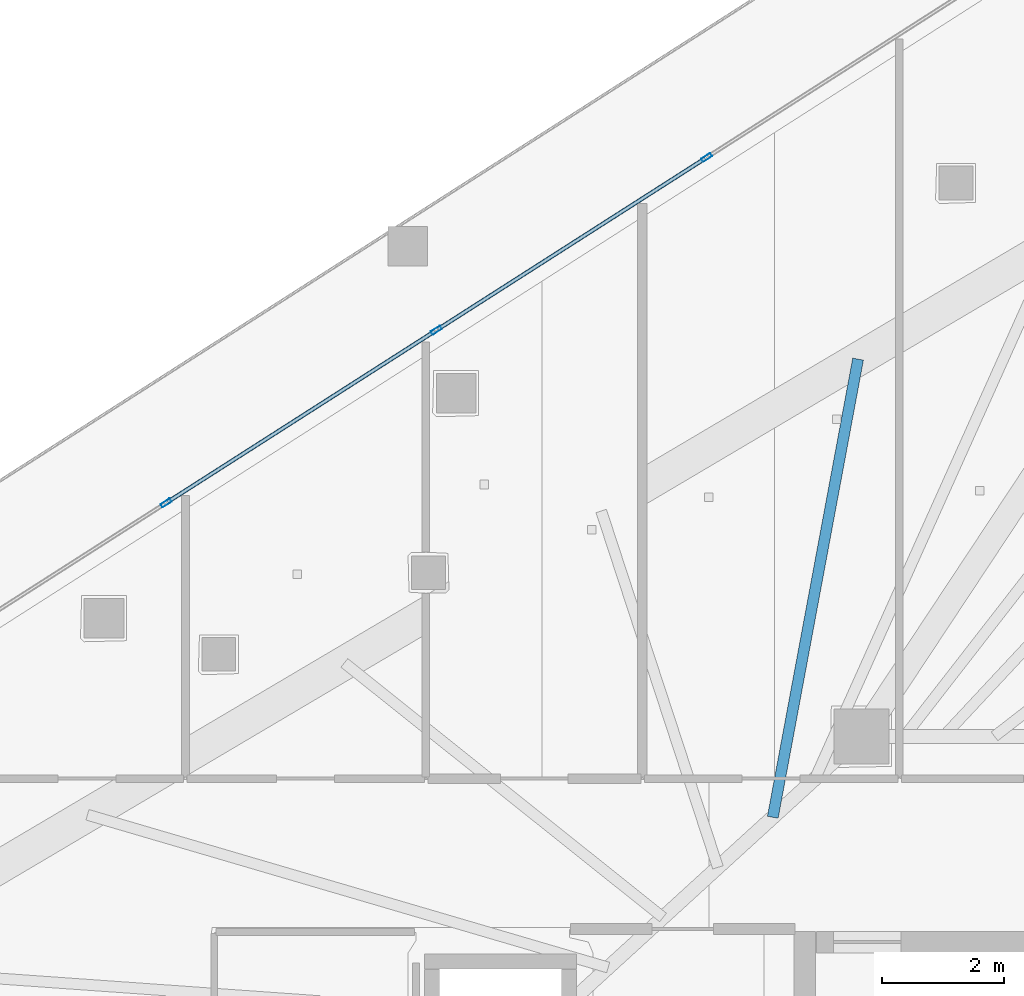
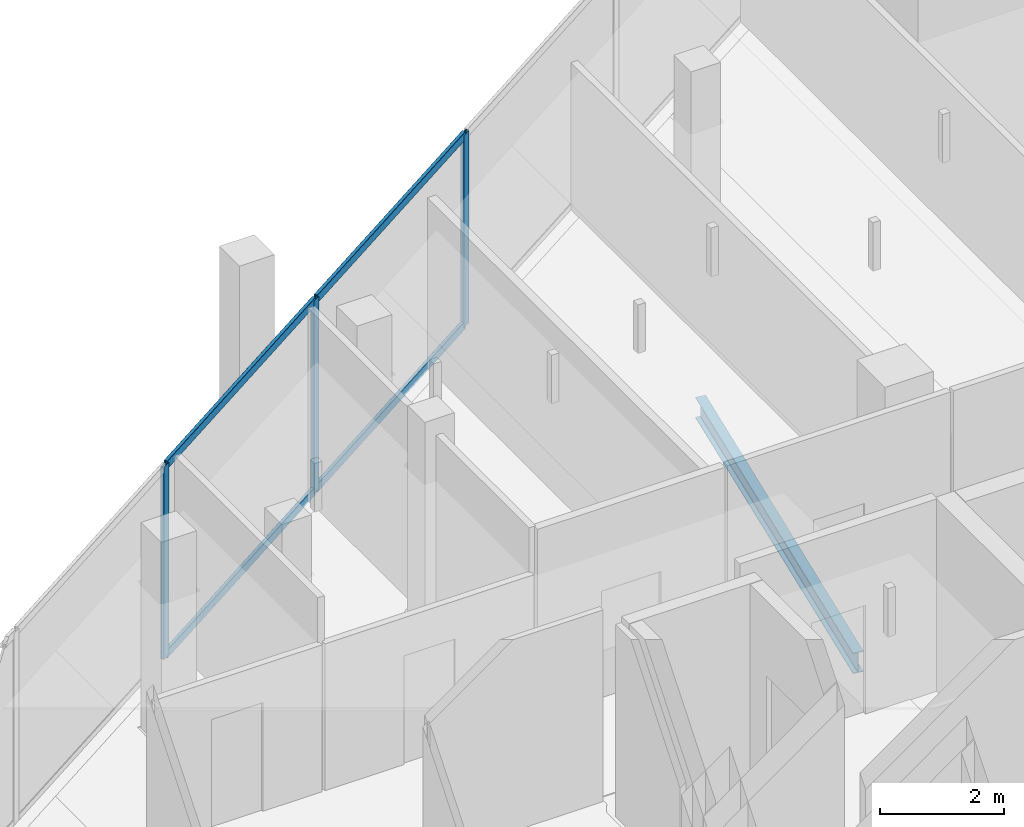
# One storey, part 17 of 33: 7 members, 1 beam, 1 element without a shape of its own.
"""IFC4 building model written with IfcOpenShell, lengths in metres."""

from ifc_helpers import new_model, si_unit, direction, frame, origin, origin_2d, place, context, subcontext, project, spatial, hollow_rectangle, i_section, extrude, material, layer, layer_set, material_profile, profile_set, type_object, element, aggregate, save


model = new_model("IFC4")

# Units and contexts
model_context = context("Model", 3, precision=1e-05, world=origin(), true_north=direction((0.0, 1.0)))
body_context = subcontext(model_context, "Body", "Model", "MODEL_VIEW")
ifc_project = project(units=[si_unit("LENGTHUNIT", "METRE"), si_unit("AREAUNIT", "SQUARE_METRE"), si_unit("VOLUMEUNIT", "CUBIC_METRE"), si_unit("PLANEANGLEUNIT", "RADIAN"), si_unit("MASSUNIT", "GRAM", prefix="KILO")], contexts=[model_context])

# Site, building, storey
site_placement = place(None, origin())
site = spatial("IfcSite", under=ifc_project, at=site_placement, CompositionType="ELEMENT")
building_placement = place(site_placement, origin())
building = spatial("IfcBuilding", under=site, at=building_placement, Name="Qorvath Tower", CompositionType="ELEMENT")
storey_placement = place(building_placement, frame((0.0, 0.0, 209.10009765625)))
storey = spatial("IfcBuildingStorey", under=building, at=storey_placement, Name="L48", CompositionType="ELEMENT", Elevation=209.10009765625)

# Beam
ifc_material_1 = material(Name="Steel ASTM A992 Grade 50", Category="steel")
ifc_material_profile_1 = material_profile(ifc_material_1, i_section(OverallWidth=0.177978515625, OverallDepth=0.406005859375, WebThickness=0.0078125, FlangeThickness=0.0126953125, FilletRadius=0.010986328125, at=origin_2d()), Name="W16x40")
ifc_profile_set_1 = profile_set([ifc_material_profile_1], Name="Steel ASTM A992 Grade 50")
beam_type = type_object("IfcBeamType", Name="BM-FJ3", PredefinedType="JOIST", material=ifc_profile_set_1)
beam_placement = place(storey_placement, frame((-25.049072265625, 10.126953125, -0.472900390625), z_axis=(0.183026775988, 0.983107928598, 0.0), x_axis=(-0.983107928598, 0.183026775988, 0.0)))
element("IfcBeam", 1, at=beam_placement, inside=storey, type_object=beam_type, Name="Composite Floor Joist NW6 L48", PredefinedType="JOIST", context=body_context, shape_type="SweptSolid", body=[
    extrude(i_section(OverallWidth=0.177978515625, OverallDepth=0.406005859375, WebThickness=0.0078125, FlangeThickness=0.0126953125, FilletRadius=0.010986328125, at=origin_2d()), origin(), (0.0, 0.0, 1.0), 7.617919921875),
])

# Curtain wall, members
ifc_material_2 = material(Name="Anodised aluminium and triple low-E glass", Category="aluminium")
ifc_layer = layer(ifc_material_2, 0.179931640625)
ifc_layer_set = layer_set([ifc_layer], Name="CW-SYS-3")
curtain_wall_type = type_object("IfcCurtainWallType", Name="CW-SYS-3", PredefinedType="NOTDEFINED", material=ifc_layer_set)
curtain_wall_placement = place(storey_placement, origin())
curtain_wall = element("IfcCurtainWall", 2, at=curtain_wall_placement, inside=storey, type_object=curtain_wall_type, Name="Curtain Wall CW-3 CW-T-L48-16.1", PredefinedType="NOTDEFINED")
ifc_material_3 = material(Name="Anodised aluminium 6063-T6", Category="aluminium")
ifc_material_profile_2 = material_profile(ifc_material_3, hollow_rectangle(XDim=0.06494140625, YDim=0.179931640625, WallThickness=0.00341796875, InnerFilletRadius=0.00341796875, OuterFilletRadius=0.007080078125, at=origin_2d()), Name="CWM 180x65")
ifc_profile_set_2 = profile_set([ifc_material_profile_2], Name="Anodised aluminium 6063-T6")
member_type_1 = type_object("IfcMemberType", Name="CWM-180", PredefinedType="MULLION", material=ifc_profile_set_2)
member_1_placement = place(storey_placement, frame((-26.131103515625, 20.912109375, 0.0), z_axis=(0.0, 0.0, 1.0), x_axis=(0.538532455845, -0.842604767374, 0.0)))
member_1 = element("IfcMember", 3, at=member_1_placement, type_object=member_type_1, Name="CW-3 mullion 3", PredefinedType="MULLION", context=body_context, shape_type="SweptSolid", body=[
    extrude(hollow_rectangle(XDim=0.06494140625, YDim=0.179931640625, WallThickness=0.00341796875, InnerFilletRadius=0.00341796875, OuterFilletRadius=0.007080078125, at=origin_2d()), origin(), (0.0, 0.0, 1.0), 3.77978515625),
])
member_2_placement = place(storey_placement, frame((-30.548828125, 18.088623046875, 0.0), z_axis=(0.0, 0.0, 1.0), x_axis=(0.538532455845, -0.842604767374, 0.0)))
member_2 = element("IfcMember", 4, at=member_2_placement, type_object=member_type_1, Name="CW-3 mullion 4", PredefinedType="MULLION", context=body_context, shape_type="SweptSolid", body=[
    extrude(hollow_rectangle(XDim=0.06494140625, YDim=0.179931640625, WallThickness=0.00341796875, InnerFilletRadius=0.00341796875, OuterFilletRadius=0.007080078125, at=origin_2d()), origin(), (0.0, 0.0, 1.0), 3.77978515625),
])
member_3_placement = place(storey_placement, frame((-34.966552734375, 15.26513671875, 0.0), z_axis=(0.0, 0.0, 1.0), x_axis=(0.538532455845, -0.842604767374, 0.0)))
member_3 = element("IfcMember", 5, at=member_3_placement, type_object=member_type_1, Name="CW-3 mullion 5", PredefinedType="MULLION", context=body_context, shape_type="SweptSolid", body=[
    extrude(hollow_rectangle(XDim=0.06494140625, YDim=0.179931640625, WallThickness=0.00341796875, InnerFilletRadius=0.00341796875, OuterFilletRadius=0.007080078125, at=origin_2d()), origin(), (0.0, 0.0, 1.0), 3.77978515625),
])
ifc_material_4 = material(Name="Anodised aluminium 6063-T6", Category="aluminium")
ifc_material_profile_3 = material_profile(ifc_material_4, hollow_rectangle(XDim=0.06494140625, YDim=0.159912109375, WallThickness=0.00341796875, InnerFilletRadius=0.00341796875, OuterFilletRadius=0.007080078125, at=origin_2d()), Name="CWT 160x65")
ifc_profile_set_3 = profile_set([ifc_material_profile_3], Name="Anodised aluminium 6063-T6")
member_type_2 = type_object("IfcMemberType", Name="CWT-160", PredefinedType="USERDEFINED", material=ifc_profile_set_3)
member_4_placement = place(storey_placement, frame((-26.158447265625, 20.89453125, 0.032470703125), z_axis=(-0.84262316261, -0.538503672999, 0.0), x_axis=(0.538503672999, -0.84262316261, 0.0)))
member_4 = element("IfcMember", 6, at=member_4_placement, type_object=member_type_2, Name="CW-3 transom 3.1", ObjectType="TRANSOM", PredefinedType="USERDEFINED", context=body_context, shape_type="SweptSolid", body=[
    extrude(hollow_rectangle(XDim=0.06494140625, YDim=0.159912109375, WallThickness=0.00341796875, InnerFilletRadius=0.00341796875, OuterFilletRadius=0.007080078125, at=origin_2d()), origin(), (0.0, 0.0, 1.0), 5.177978515625),
])
member_5_placement = place(storey_placement, frame((-26.158447265625, 20.89453125, 3.747314453125), z_axis=(-0.84262316261, -0.538503672999, 0.0), x_axis=(0.538503672999, -0.84262316261, 0.0)))
member_5 = element("IfcMember", 7, at=member_5_placement, type_object=member_type_2, Name="CW-3 transom 3.2", ObjectType="TRANSOM", PredefinedType="USERDEFINED", context=body_context, shape_type="SweptSolid", body=[
    extrude(hollow_rectangle(XDim=0.06494140625, YDim=0.159912109375, WallThickness=0.00341796875, InnerFilletRadius=0.00341796875, OuterFilletRadius=0.007080078125, at=origin_2d()), origin(), (0.0, 0.0, 1.0), 5.177978515625),
])
member_6_placement = place(storey_placement, frame((-30.576171875, 18.071044921875, 0.032470703125), z_axis=(-0.84262316261, -0.538503672999, 0.0), x_axis=(0.538503672999, -0.84262316261, 0.0)))
member_6 = element("IfcMember", 8, at=member_6_placement, type_object=member_type_2, Name="CW-3 transom 4.1", ObjectType="TRANSOM", PredefinedType="USERDEFINED", context=body_context, shape_type="SweptSolid", body=[
    extrude(hollow_rectangle(XDim=0.06494140625, YDim=0.159912109375, WallThickness=0.00341796875, InnerFilletRadius=0.00341796875, OuterFilletRadius=0.007080078125, at=origin_2d()), origin(), (0.0, 0.0, 1.0), 5.177978515625),
])
member_7_placement = place(storey_placement, frame((-30.576171875, 18.071044921875, 3.747314453125), z_axis=(-0.84262316261, -0.538503672999, 0.0), x_axis=(0.538503672999, -0.84262316261, 0.0)))
member_7 = element("IfcMember", 9, at=member_7_placement, type_object=member_type_2, Name="CW-3 transom 4.2", ObjectType="TRANSOM", PredefinedType="USERDEFINED", context=body_context, shape_type="SweptSolid", body=[
    extrude(hollow_rectangle(XDim=0.06494140625, YDim=0.159912109375, WallThickness=0.00341796875, InnerFilletRadius=0.00341796875, OuterFilletRadius=0.007080078125, at=origin_2d()), origin(), (0.0, 0.0, 1.0), 5.177978515625),
])
aggregate(curtain_wall, [member_1, member_2, member_3, member_4, member_5, member_6, member_7])

save(model, "model.ifc")
